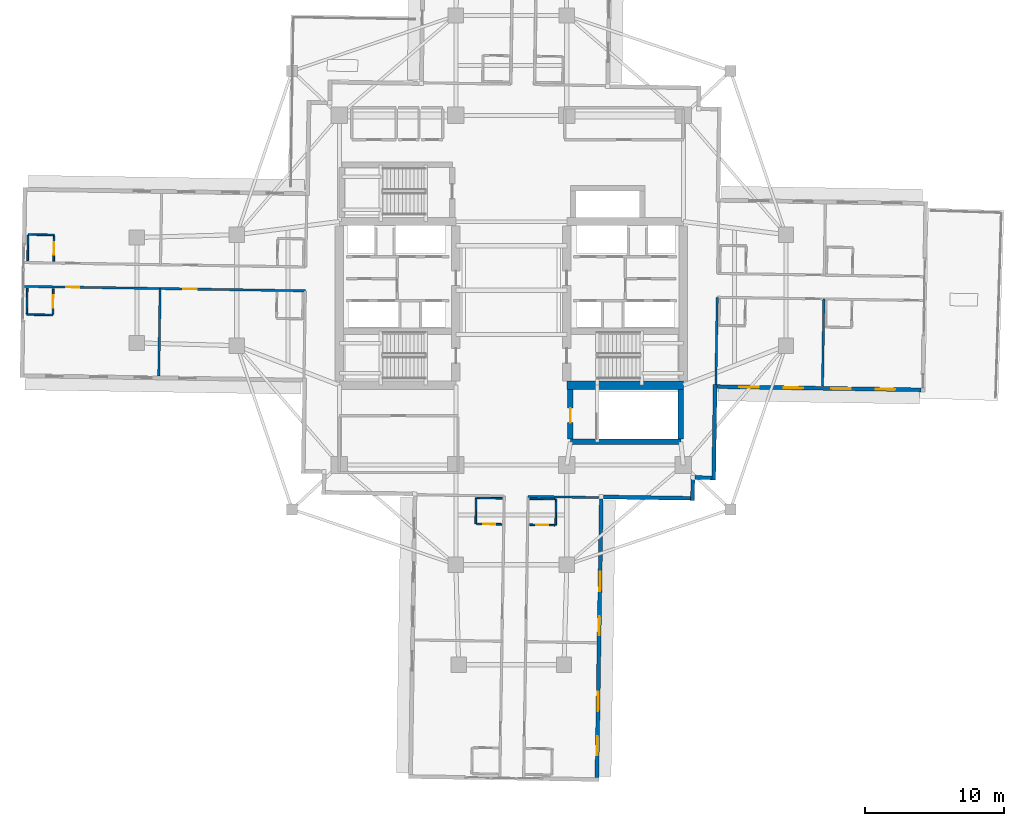
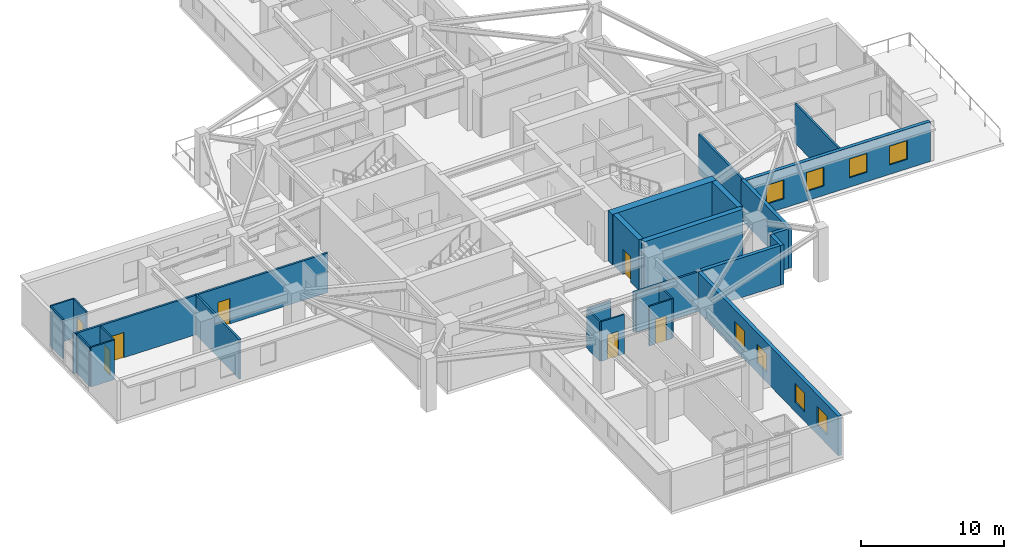
# One storey, part 12 of 22: 27 walls, 8 windows, 7 doors, 15 openings.
"""IFC4 building model written with IfcOpenShell, lengths in metres."""

from ifc_helpers import new_model, si_unit, direction, frame, frame_2d, origin, place, context, subcontext, project, spatial, rectangle, extrude, material, layer, layer_set, type_object, element, fill, save


model = new_model("IFC4")

# Units and contexts
model_context = context("Model", 3, precision=1e-05, world=origin(), true_north=direction((0.0, 1.0)))
body_context = subcontext(model_context, "Body", "Model", "MODEL_VIEW")
ifc_project = project(units=[si_unit("LENGTHUNIT", "METRE"), si_unit("AREAUNIT", "SQUARE_METRE"), si_unit("VOLUMEUNIT", "CUBIC_METRE"), si_unit("PLANEANGLEUNIT", "RADIAN"), si_unit("MASSUNIT", "GRAM", prefix="KILO")], contexts=[model_context])

# Site, building, storey
site_placement = place(None, origin())
site = spatial("IfcSite", under=ifc_project, at=site_placement, CompositionType="ELEMENT")
building_placement = place(site_placement, origin())
building = spatial("IfcBuilding", under=site, at=building_placement, Name="Qingluan Cross Belvedere", CompositionType="ELEMENT")
storey_placement = place(building_placement, frame((0.0, 0.0, 100.199951171875)))
storey = spatial("IfcBuildingStorey", under=building, at=storey_placement, Name="L25", CompositionType="ELEMENT", Elevation=100.199951171875)

# Wall
ifc_material_1 = material(Name="Concrete C50", Category="concrete")
ifc_layer_1 = layer(ifc_material_1, 0.449951171875, Name="CoreShearWall_450")
ifc_layer_set_1 = layer_set([ifc_layer_1], Name="Concrete C50")
wall_type_1 = type_object("IfcWallType", Name="CoreShearWall_450", PredefinedType="SHEAR", material=ifc_layer_set_1)
wall_1_placement = place(storey_placement, frame((4.260009765625, -10.93994140625, 0.0), z_axis=(0.0, 0.0, 1.0), x_axis=(1.0, 0.0, 0.0)))
element("IfcWall", 1, at=wall_1_placement, inside=storey, type_object=wall_type_1, Name="Stair ST4 structural wall S L25", PredefinedType="SHEAR", context=body_context, shape_type="SweptSolid", body=[
    extrude(rectangle(XDim=7.9599609375, YDim=0.39990234375, at=frame_2d((3.97998046875, 0.0))), origin(), (0.0, 0.0, 1.0), 4.300048828125),
])

# Wall, opening, door
wall_2_placement = place(storey_placement, frame((4.260009765625, -10.735107421875, 0.0), z_axis=(0.0, 0.0, 1.0), x_axis=(0.0, 1.0, 0.0)))
wall_2 = element("IfcWall", 2, at=wall_2_placement, inside=storey, type_object=wall_type_1, Name="Stair ST4 structural wall W L25", PredefinedType="SHEAR", context=body_context, shape_type="SweptSolid", body=[
    extrude(rectangle(XDim=3.580078125, YDim=0.39990234375, at=frame_2d((1.7900390625, 0.0))), origin(), (0.0, 0.0, 1.0), 4.300048828125),
])
opening_1_placement = place(wall_2_placement, frame((1.18505859375, 0.0, 0.0)))
opening_1 = element("IfcOpeningElement", 3, at=opening_1_placement, cuts=wall_2, Name="Opening FD-B11", PredefinedType="OPENING", context=body_context, shape_type="SweptSolid", body=[
    extrude(rectangle(XDim=1.050048828125, YDim=2.14990234375, at=frame_2d((0.52490234375, 1.074951171875))), frame((0.0, 0.2099609375, 0.0), z_axis=(0.0, -1.0, 0.0), x_axis=(1.0, 0.0, 0.0)), (0.0, 0.0, 1.0), 0.419921875),
])
ifc_material_2 = material(Name="Steel Class B smoke-seal fire door", Category="steel")
door_type_1 = type_object("IfcDoorType", Name="StairLobbyFireDoor_FDB", OperationType="NOTDEFINED", PredefinedType="DOOR", material=ifc_material_2)
door_1_placement = place(opening_1_placement, origin())
door_1 = element("IfcDoor", 4, at=door_1_placement, inside=storey, type_object=door_type_1, Name="Smoke-proof stair ST4 fire door L25", OperationType="SINGLE_SWING_LEFT", OverallHeight=2.14990234375, OverallWidth=1.050048828125, PredefinedType="DOOR", context=body_context, shape_type="SweptSolid", body=[
    extrude(rectangle(XDim=1.050048828125, YDim=2.14990234375, at=frame_2d((0.52490234375, 1.074951171875))), frame((0.0, 0.02490234375, 0.0), z_axis=(0.0, -1.0, 0.0), x_axis=(1.0, 0.0, 0.0)), (0.0, 0.0, 1.0), 0.050048828125),
])
fill(opening_1, door_1)

# Walls
wall_3_placement = place(storey_placement, frame((12.219970703125, -10.735107421875, 0.0), z_axis=(0.0, 0.0, 1.0), x_axis=(0.0, 1.0, 0.0)))
element("IfcWall", 5, at=wall_3_placement, inside=storey, type_object=wall_type_1, Name="Stair ST4 structural wall E L25", PredefinedType="SHEAR", context=body_context, shape_type="SweptSolid", body=[
    extrude(rectangle(XDim=3.580078125, YDim=0.39990234375, at=frame_2d((1.7900390625, 0.0))), origin(), (0.0, 0.0, 1.0), 4.300048828125),
])
ifc_material_3 = material(Name="Concrete C60", Category="concrete")
ifc_layer_2 = layer(ifc_material_3, 0.60009765625, Name="CoreShearWall_600")
ifc_layer_set_2 = layer_set([ifc_layer_2], Name="Concrete C60")
wall_type_2 = type_object("IfcWallType", Name="CoreShearWall_600", PredefinedType="SHEAR", material=ifc_layer_set_2)
wall_4_placement = place(storey_placement, frame((4.0, -6.85009765625, 0.0), z_axis=(0.0, 0.0, 1.0), x_axis=(1.0, 0.0, 0.0)))
element("IfcWall", 6, at=wall_4_placement, inside=storey, type_object=wall_type_2, Name="Split core E shear wall L25-S", PredefinedType="SHEAR", context=body_context, shape_type="SweptSolid", body=[
    extrude(rectangle(XDim=8.39990234375, YDim=0.60009765625, at=frame_2d((4.199951171875, 0.0))), origin(), (0.0, 0.0, 1.0), 4.300048828125),
])
ifc_material_4 = material(Name="Gypsum plasterboard on steel stud acoustic partition", Category="steel")
ifc_layer_3 = layer(ifc_material_4, 0.159912109375, Name="CorridorPartition_160")
ifc_layer_set_3 = layer_set([ifc_layer_3], Name="Gypsum plasterboard on steel stud acoustic partition")
wall_type_3 = type_object("IfcWallType", Name="CorridorPartition_160", PredefinedType="PARTITIONING", material=ifc_layer_set_3)
for number, where, z_axis, x_axis, name in (
    (7, (14.84375, -0.51318359375, 0.0), (0.0, 0.0, 1.0), (-0.01571461794, -0.999876517768, 0.0), "Partition L25:E:s1"),
    (8, (22.53173828125, -0.634033203125, 0.0), (0.0, 0.0, 1.0), (-0.015675825961, -0.999877126691, 0.0), "Partition L25:E:d1_0"),
):
    element("IfcWall", number, at=place(storey_placement, frame(where, z_axis=z_axis, x_axis=x_axis)), inside=storey, type_object=wall_type_3, Name=name, PredefinedType="PARTITIONING", context=body_context, shape_type="SweptSolid", body=[
        extrude(rectangle(XDim=6.2919921875, YDim=0.159912109375, at=frame_2d((3.14599609375, 0.0))), origin(), (0.0, 0.0, 1.0), 3.3701171875),
    ])

# Wall, openings, doors
wall_5_placement = place(storey_placement, frame((-14.8525390625, -0.046630859375, 0.0), z_axis=(0.0, 0.0, 1.0), x_axis=(-0.999876629467, 0.015707509204, 0.0)))
wall_5 = element("IfcWall", 9, at=wall_5_placement, inside=storey, type_object=wall_type_3, Name="Partition L25:W:c1", PredefinedType="PARTITIONING", context=body_context, shape_type="SweptSolid", body=[
    extrude(rectangle(XDim=20.330078125, YDim=0.159912109375, at=frame_2d((10.1650390625, 0.0))), origin(), (0.0, 0.0, 1.0), 3.3701171875),
])
opening_2_placement = place(wall_5_placement, frame((7.8359375, 0.0, 0.0)))
opening_2 = element("IfcOpeningElement", 10, at=opening_2_placement, cuts=wall_5, Name="Opening GD-10", PredefinedType="OPENING", context=body_context, shape_type="SweptSolid", body=[
    extrude(rectangle(XDim=0.9599609375, YDim=2.14990234375, at=frame_2d((0.47998046875, 1.074951171875))), frame((0.0, 0.08984375, 0.0), z_axis=(0.0, -1.0, 0.0), x_axis=(1.0, 0.0, 0.0)), (0.0, 0.0, 1.0), 0.179931640625),
])
opening_3_placement = place(wall_5_placement, frame((16.2958984375, 0.0, 0.0)))
opening_3 = element("IfcOpeningElement", 11, at=opening_3_placement, cuts=wall_5, Name="Opening GD-10", PredefinedType="OPENING", context=body_context, shape_type="SweptSolid", body=[
    extrude(rectangle(XDim=0.9599609375, YDim=2.14990234375, at=frame_2d((0.47998046875, 1.074951171875))), frame((0.0, 0.08984375, 0.0), z_axis=(0.0, -1.0, 0.0), x_axis=(1.0, 0.0, 0.0)), (0.0, 0.0, 1.0), 0.179931640625),
])
ifc_material_5 = material(Name="Timber oak fire-rated acoustic guestroom door", Category="wood")
door_type_2 = type_object("IfcDoorType", Name="GuestEntryDoor_FD60", OperationType="NOTDEFINED", PredefinedType="DOOR", material=ifc_material_5)
door_2_placement = place(opening_2_placement, origin())
door_2 = element("IfcDoor", 12, at=door_2_placement, inside=storey, type_object=door_type_2, Name="Guest entry fire door 2507", OperationType="SINGLE_SWING_LEFT", OverallHeight=2.14990234375, OverallWidth=0.9599609375, PredefinedType="DOOR", context=body_context, shape_type="SweptSolid", body=[
    extrude(rectangle(XDim=0.9599609375, YDim=2.14990234375, at=frame_2d((0.47998046875, 1.074951171875))), frame((0.0, 0.02490234375, 0.0), z_axis=(0.0, -1.0, 0.0), x_axis=(1.0, 0.0, 0.0)), (0.0, 0.0, 1.0), 0.050048828125),
])
fill(opening_2, door_2)
door_3_placement = place(opening_3_placement, origin())
door_3 = element("IfcDoor", 13, at=door_3_placement, inside=storey, type_object=door_type_2, Name="Guest entry fire door 2508", OperationType="SINGLE_SWING_LEFT", OverallHeight=2.14990234375, OverallWidth=0.9599609375, PredefinedType="DOOR", context=body_context, shape_type="SweptSolid", body=[
    extrude(rectangle(XDim=0.9599609375, YDim=2.14990234375, at=frame_2d((0.47998046875, 1.074951171875))), frame((0.0, 0.02490234375, 0.0), z_axis=(0.0, -1.0, 0.0), x_axis=(1.0, 0.0, 0.0)), (0.0, 0.0, 1.0), 0.050048828125),
])
fill(opening_3, door_3)

# Walls
wall_6_placement = place(storey_placement, frame((-25.3212890625, 0.11767578125, 0.0), z_axis=(0.0, 0.0, 1.0), x_axis=(-0.01571461794, -0.999876517768, 0.0)))
element("IfcWall", 14, at=wall_6_placement, inside=storey, type_object=wall_type_3, Name="Partition L25:W:d1_0", PredefinedType="PARTITIONING", context=body_context, shape_type="SweptSolid", body=[
    extrude(rectangle(XDim=6.2919921875, YDim=0.159912109375, at=frame_2d((3.14599609375, 0.0))), origin(), (0.0, 0.0, 1.0), 3.3701171875),
])
wall_7_placement = place(storey_placement, frame((1.20654296875, -14.870849609375, 0.0), z_axis=(0.0, 0.0, 1.0), x_axis=(0.999877138082, -0.015675099418, 0.0)))
element("IfcWall", 15, at=wall_7_placement, inside=storey, type_object=wall_type_3, Name="Partition L25:S:s0", PredefinedType="PARTITIONING", context=body_context, shape_type="SweptSolid", body=[
    extrude(rectangle(XDim=5.280029296875, YDim=0.159912109375, at=frame_2d((2.64013671875, 0.0))), origin(), (0.0, 0.0, 1.0), 3.3701171875),
])

# Wall, opening, door
ifc_material_6 = material(Name="Moisture-resistant gypsum board lining")
ifc_layer_4 = layer(ifc_material_6, 0.1201171875, Name="EnsuiteWetPartition_120")
ifc_layer_set_4 = layer_set([ifc_layer_4], Name="Moisture-resistant gypsum board lining")
wall_type_4 = type_object("IfcWallType", Name="EnsuiteWetPartition_120", PredefinedType="PARTITIONING", material=ifc_layer_set_4)
wall_8_placement = place(storey_placement, frame((-32.9912109375, 2.098388671875, 0.0), z_axis=(0.0, 0.0, 1.0), x_axis=(0.015828443418, 0.999874722342, 0.0)))
wall_8 = element("IfcWall", 16, at=wall_8_placement, inside=storey, type_object=wall_type_4, Name="Partition L25:W:bs0_1", PredefinedType="PARTITIONING", context=body_context, shape_type="SweptSolid", body=[
    extrude(rectangle(XDim=1.820068359375, YDim=0.1201171875, at=frame_2d((0.91015625, 0.0))), origin(), (0.0, 0.0, 1.0), 3.3701171875),
])
opening_4_placement = place(wall_8_placement, frame((0.469970703125, 0.0, 0.0)))
opening_4 = element("IfcOpeningElement", 17, at=opening_4_placement, cuts=wall_8, Name="Opening BD-09", PredefinedType="OPENING", context=body_context, shape_type="SweptSolid", body=[
    extrude(rectangle(XDim=0.8798828125, YDim=2.10009765625, at=frame_2d((0.43994140625, 1.050048828125))), frame((0.0, 0.070068359375, 0.0), z_axis=(0.0, -1.0, 0.0), x_axis=(1.0, 0.0, 0.0)), (0.0, 0.0, 1.0), 0.14013671875),
])
ifc_material_7 = material(Name="Moisture-sealed timber en-suite door", Category="wood")
door_type_3 = type_object("IfcDoorType", Name="BathroomDoor_880", OperationType="NOTDEFINED", PredefinedType="DOOR", material=ifc_material_7)
door_4_placement = place(opening_4_placement, origin())
door_4 = element("IfcDoor", 18, at=door_4_placement, inside=storey, type_object=door_type_3, Name="Bathroom door 2506", OperationType="SINGLE_SWING_RIGHT", OverallHeight=2.10009765625, OverallWidth=0.8798828125, PredefinedType="DOOR", context=body_context, shape_type="SweptSolid", body=[
    extrude(rectangle(XDim=0.8798828125, YDim=2.10009765625, at=frame_2d((0.43994140625, 1.050048828125))), frame((0.0, 0.02490234375, 0.0), z_axis=(0.0, -1.0, 0.0), x_axis=(1.0, 0.0, 0.0)), (0.0, 0.0, 1.0), 0.050048828125),
])
fill(opening_4, door_4)

# Walls
wall_9_placement = place(storey_placement, frame((-34.870849609375, 2.1279296875, 0.0), z_axis=(0.0, 0.0, 1.0), x_axis=(0.015694337248, 0.999876836305, 0.0)))
element("IfcWall", 19, at=wall_9_placement, inside=storey, type_object=wall_type_4, Name="Partition L25:W:bw0_1", PredefinedType="PARTITIONING", context=body_context, shape_type="SweptSolid", body=[
    extrude(rectangle(XDim=1.820068359375, YDim=0.1201171875, at=frame_2d((0.91015625, 0.0))), origin(), (0.0, 0.0, 1.0), 3.3701171875),
])
wall_10_placement = place(storey_placement, frame((-32.96142578125, 3.983154296875, 0.0), z_axis=(0.0, 0.0, 1.0), x_axis=(-0.999876553475, 0.01571234584, 0.0)))
element("IfcWall", 20, at=wall_10_placement, inside=storey, type_object=wall_type_4, Name="Partition L25:W:bn0_1", PredefinedType="PARTITIONING", context=body_context, shape_type="SweptSolid", body=[
    extrude(rectangle(XDim=1.880126953125, YDim=0.1201171875, at=frame_2d((0.93994140625, 0.0))), origin(), (0.0, 0.0, 1.0), 3.3701171875),
])

# Wall, opening, door
wall_11_placement = place(storey_placement, frame((-33.051025390625, -1.72119140625, 0.0), z_axis=(0.0, 0.0, 1.0), x_axis=(0.015694337248, 0.999876836305, 0.0)))
wall_11 = element("IfcWall", 21, at=wall_11_placement, inside=storey, type_object=wall_type_4, Name="Partition L25:W:bs1_1", PredefinedType="PARTITIONING", context=body_context, shape_type="SweptSolid", body=[
    extrude(rectangle(XDim=1.820068359375, YDim=0.1201171875, at=frame_2d((0.91015625, 0.0))), origin(), (0.0, 0.0, 1.0), 3.3701171875),
])
opening_5_placement = place(wall_11_placement, frame((0.469970703125, 0.0, 0.0)))
opening_5 = element("IfcOpeningElement", 22, at=opening_5_placement, cuts=wall_11, Name="Opening BD-09", PredefinedType="OPENING", context=body_context, shape_type="SweptSolid", body=[
    extrude(rectangle(XDim=0.8798828125, YDim=2.10009765625, at=frame_2d((0.43994140625, 1.050048828125))), frame((0.0, 0.070068359375, 0.0), z_axis=(0.0, -1.0, 0.0), x_axis=(1.0, 0.0, 0.0)), (0.0, 0.0, 1.0), 0.14013671875),
])
door_5_placement = place(opening_5_placement, origin())
door_5 = element("IfcDoor", 23, at=door_5_placement, inside=storey, type_object=door_type_3, Name="Bathroom door 2508", OperationType="SINGLE_SWING_RIGHT", OverallHeight=2.10009765625, OverallWidth=0.8798828125, PredefinedType="DOOR", context=body_context, shape_type="SweptSolid", body=[
    extrude(rectangle(XDim=0.8798828125, YDim=2.10009765625, at=frame_2d((0.43994140625, 1.050048828125))), frame((0.0, 0.02490234375, 0.0), z_axis=(0.0, -1.0, 0.0), x_axis=(1.0, 0.0, 0.0)), (0.0, 0.0, 1.0), 0.050048828125),
])
fill(opening_5, door_5)

# Walls
wall_12_placement = place(storey_placement, frame((-34.930908203125, -1.69140625, 0.0), z_axis=(0.0, 0.0, 1.0), x_axis=(0.015696442504, 0.999876803258, 0.0)))
element("IfcWall", 24, at=wall_12_placement, inside=storey, type_object=wall_type_4, Name="Partition L25:W:bw1_1", PredefinedType="PARTITIONING", context=body_context, shape_type="SweptSolid", body=[
    extrude(rectangle(XDim=1.81982421875, YDim=0.1201171875, at=frame_2d((0.909912109375, 0.0))), origin(), (0.0, 0.0, 1.0), 3.3701171875),
])
wall_13_placement = place(storey_placement, frame((-33.052001953125, -1.7861328125, 0.0), z_axis=(0.0, 0.0, 1.0), x_axis=(-0.999876553475, 0.01571234584, 0.0)))
element("IfcWall", 25, at=wall_13_placement, inside=storey, type_object=wall_type_4, Name="Partition L25:W:bc1_1", PredefinedType="PARTITIONING", context=body_context, shape_type="SweptSolid", body=[
    extrude(rectangle(XDim=1.880126953125, YDim=0.1201171875, at=frame_2d((0.93994140625, 0.0))), origin(), (0.0, 0.0, 1.0), 3.3701171875),
])

# Wall, opening, door
wall_14_placement = place(storey_placement, frame((1.314453125, -16.91259765625, 0.0), z_axis=(0.0, 0.0, 1.0), x_axis=(0.999874722342, -0.015828443418, 0.0)))
wall_14 = element("IfcWall", 26, at=wall_14_placement, inside=storey, type_object=wall_type_4, Name="Partition L25:S:bs0_0", PredefinedType="PARTITIONING", context=body_context, shape_type="SweptSolid", body=[
    extrude(rectangle(XDim=1.820068359375, YDim=0.1201171875, at=frame_2d((0.91015625, 0.0))), origin(), (0.0, 0.0, 1.0), 3.3701171875),
])
opening_6_placement = place(wall_14_placement, frame((0.469970703125, 0.0, 0.0)))
opening_6 = element("IfcOpeningElement", 27, at=opening_6_placement, cuts=wall_14, Name="Opening BD-09", PredefinedType="OPENING", context=body_context, shape_type="SweptSolid", body=[
    extrude(rectangle(XDim=0.8798828125, YDim=2.10009765625, at=frame_2d((0.43994140625, 1.050048828125))), frame((0.0, 0.070068359375, 0.0), z_axis=(0.0, -1.0, 0.0), x_axis=(1.0, 0.0, 0.0)), (0.0, 0.0, 1.0), 0.14013671875),
])
door_6_placement = place(opening_6_placement, origin())
door_6 = element("IfcDoor", 28, at=door_6_placement, inside=storey, type_object=door_type_3, Name="Bathroom door 2513", OperationType="SINGLE_SWING_RIGHT", OverallHeight=2.10009765625, OverallWidth=0.8798828125, PredefinedType="DOOR", context=body_context, shape_type="SweptSolid", body=[
    extrude(rectangle(XDim=0.8798828125, YDim=2.10009765625, at=frame_2d((0.43994140625, 1.050048828125))), frame((0.0, 0.02490234375, 0.0), z_axis=(0.0, -1.0, 0.0), x_axis=(1.0, 0.0, 0.0)), (0.0, 0.0, 1.0), 0.050048828125),
])
fill(opening_6, door_6)

# Walls
wall_15_placement = place(storey_placement, frame((1.343994140625, -15.032958984375, 0.0), z_axis=(0.0, 0.0, 1.0), x_axis=(0.999876836305, -0.015694337248, 0.0)))
element("IfcWall", 29, at=wall_15_placement, inside=storey, type_object=wall_type_4, Name="Partition L25:S:bw0_0", PredefinedType="PARTITIONING", context=body_context, shape_type="SweptSolid", body=[
    extrude(rectangle(XDim=1.820068359375, YDim=0.1201171875, at=frame_2d((0.91015625, 0.0))), origin(), (0.0, 0.0, 1.0), 3.3701171875),
])
wall_16_placement = place(storey_placement, frame((3.228759765625, -15.0625, 0.0), z_axis=(0.0, 0.0, 1.0), x_axis=(-0.01571234584, -0.999876553475, 0.0)))
element("IfcWall", 30, at=wall_16_placement, inside=storey, type_object=wall_type_4, Name="Partition L25:S:bn0_0", PredefinedType="PARTITIONING", context=body_context, shape_type="SweptSolid", body=[
    extrude(rectangle(XDim=1.880126953125, YDim=0.1201171875, at=frame_2d((0.93994140625, 0.0))), origin(), (0.0, 0.0, 1.0), 3.3701171875),
])

# Wall, opening, door
wall_17_placement = place(storey_placement, frame((-2.5048828125, -16.852783203125, 0.0), z_axis=(0.0, 0.0, 1.0), x_axis=(0.999876803258, -0.015696442504, 0.0)))
wall_17 = element("IfcWall", 31, at=wall_17_placement, inside=storey, type_object=wall_type_4, Name="Partition L25:S:bs1_0", PredefinedType="PARTITIONING", context=body_context, shape_type="SweptSolid", body=[
    extrude(rectangle(XDim=1.81982421875, YDim=0.1201171875, at=frame_2d((0.909912109375, 0.0))), origin(), (0.0, 0.0, 1.0), 3.3701171875),
])
opening_7_placement = place(wall_17_placement, frame((0.469970703125, 0.0, 0.0)))
opening_7 = element("IfcOpeningElement", 32, at=opening_7_placement, cuts=wall_17, Name="Opening BD-09", PredefinedType="OPENING", context=body_context, shape_type="SweptSolid", body=[
    extrude(rectangle(XDim=0.8798828125, YDim=2.10009765625, at=frame_2d((0.43994140625, 1.050048828125))), frame((0.0, 0.070068359375, 0.0), z_axis=(0.0, -1.0, 0.0), x_axis=(1.0, 0.0, 0.0)), (0.0, 0.0, 1.0), 0.14013671875),
])
door_7_placement = place(opening_7_placement, origin())
door_7 = element("IfcDoor", 33, at=door_7_placement, inside=storey, type_object=door_type_3, Name="Bathroom door 2515", OperationType="SINGLE_SWING_RIGHT", OverallHeight=2.10009765625, OverallWidth=0.8798828125, PredefinedType="DOOR", context=body_context, shape_type="SweptSolid", body=[
    extrude(rectangle(XDim=0.8798828125, YDim=2.10009765625, at=frame_2d((0.43994140625, 1.050048828125))), frame((0.0, 0.02490234375, 0.0), z_axis=(0.0, -1.0, 0.0), x_axis=(1.0, 0.0, 0.0)), (0.0, 0.0, 1.0), 0.050048828125),
])
fill(opening_7, door_7)

# Walls
wall_18_placement = place(storey_placement, frame((-2.4755859375, -14.972900390625, 0.0), z_axis=(0.0, 0.0, 1.0), x_axis=(0.999874722342, -0.015828443418, 0.0)))
element("IfcWall", 34, at=wall_18_placement, inside=storey, type_object=wall_type_4, Name="Partition L25:S:bw1_0", PredefinedType="PARTITIONING", context=body_context, shape_type="SweptSolid", body=[
    extrude(rectangle(XDim=1.820068359375, YDim=0.1201171875, at=frame_2d((0.91015625, 0.0))), origin(), (0.0, 0.0, 1.0), 3.3701171875),
])
wall_19_placement = place(storey_placement, frame((-2.54052734375, -14.971923828125, 0.0), z_axis=(0.0, 0.0, 1.0), x_axis=(-0.01571234584, -0.999876553475, 0.0)))
element("IfcWall", 35, at=wall_19_placement, inside=storey, type_object=wall_type_4, Name="Partition L25:S:bc1_0", PredefinedType="PARTITIONING", context=body_context, shape_type="SweptSolid", body=[
    extrude(rectangle(XDim=1.880126953125, YDim=0.1201171875, at=frame_2d((0.93994140625, 0.0))), origin(), (0.0, 0.0, 1.0), 3.3701171875),
])

# Wall, openings, windows
ifc_material_8 = material(Name="Precast concrete C45", Category="concrete")
ifc_layer_5 = layer(ifc_material_8, 0.280029296875, Name="PrecastFacadeWall_280")
ifc_layer_set_5 = layer_set([ifc_layer_5], Name="Precast concrete C45")
wall_type_5 = type_object("IfcWallType", Name="PrecastFacadeWall_280", PredefinedType="STANDARD", material=ifc_layer_set_5)
wall_20_placement = place(storey_placement, frame((14.83251953125, -6.953857421875, 0.0), z_axis=(0.0, 0.0, 1.0), x_axis=(0.999876569875, -0.015711302158, 0.0)))
wall_20 = element("IfcWall", 36, at=wall_20_placement, inside=storey, type_object=wall_type_5, Name="Facade wall L25-EA", PredefinedType="STANDARD", context=body_context, shape_type="SweptSolid", body=[
    extrude(rectangle(XDim=14.699951171875, YDim=0.280029296875, at=frame_2d((7.35009765625, 0.0))), origin(), (0.0, 0.0, 1.0), 3.380126953125),
])
opening_8_placement = place(wall_20_placement, frame((1.60009765625, 0.0, 0.800048828125)))
opening_8 = element("IfcOpeningElement", 37, at=opening_8_placement, cuts=wall_20, Name="Opening W-01", PredefinedType="OPENING", context=body_context, shape_type="SweptSolid", body=[
    extrude(rectangle(XDim=1.39990234375, YDim=1.60009765625, at=frame_2d((0.699951171875, 0.800048828125))), frame((0.0, 0.14990234375, 0.0), z_axis=(0.0, -1.0, 0.0), x_axis=(1.0, 0.0, 0.0)), (0.0, 0.0, 1.0), 0.300048828125),
])
opening_9_placement = place(wall_20_placement, frame((4.800048828125, 0.0, 0.800048828125)))
opening_9 = element("IfcOpeningElement", 38, at=opening_9_placement, cuts=wall_20, Name="Opening W-01", PredefinedType="OPENING", context=body_context, shape_type="SweptSolid", body=[
    extrude(rectangle(XDim=1.39990234375, YDim=1.60009765625, at=frame_2d((0.699951171875, 0.800048828125))), frame((0.0, 0.14990234375, 0.0), z_axis=(0.0, -1.0, 0.0), x_axis=(1.0, 0.0, 0.0)), (0.0, 0.0, 1.0), 0.300048828125),
])
opening_10_placement = place(wall_20_placement, frame((8.25, 0.0, 0.800048828125)))
opening_10 = element("IfcOpeningElement", 39, at=opening_10_placement, cuts=wall_20, Name="Opening W-01", PredefinedType="OPENING", context=body_context, shape_type="SweptSolid", body=[
    extrude(rectangle(XDim=1.39990234375, YDim=1.60009765625, at=frame_2d((0.699951171875, 0.800048828125))), frame((0.0, 0.14990234375, 0.0), z_axis=(0.0, -1.0, 0.0), x_axis=(1.0, 0.0, 0.0)), (0.0, 0.0, 1.0), 0.300048828125),
])
opening_11_placement = place(wall_20_placement, frame((11.449951171875, 0.0, 0.800048828125)))
opening_11 = element("IfcOpeningElement", 40, at=opening_11_placement, cuts=wall_20, Name="Opening W-01", PredefinedType="OPENING", context=body_context, shape_type="SweptSolid", body=[
    extrude(rectangle(XDim=1.39990234375, YDim=1.60009765625, at=frame_2d((0.699951171875, 0.800048828125))), frame((0.0, 0.14990234375, 0.0), z_axis=(0.0, -1.0, 0.0), x_axis=(1.0, 0.0, 0.0)), (0.0, 0.0, 1.0), 0.300048828125),
])
ifc_material_9 = material(Name="Thermally broken triple Low-E glass in aluminium frame", Category="aluminium")
window_type = type_object("IfcWindowType", Name="TriRibbonWin_1400x1600", PartitioningType="SINGLE_PANEL", PredefinedType="WINDOW", material=ifc_material_9)
window_1_placement = place(opening_8_placement, origin())
window_1 = element("IfcWindow", 41, at=window_1_placement, inside=storey, type_object=window_type, Name="Ribbon window L25-EA-1", OverallHeight=1.60009765625, OverallWidth=1.39990234375, PartitioningType="SINGLE_PANEL", PredefinedType="WINDOW", context=body_context, shape_type="SweptSolid", body=[
    extrude(rectangle(XDim=1.39990234375, YDim=1.60009765625, at=frame_2d((0.699951171875, 0.800048828125))), frame((0.0, 0.030029296875, 0.0), z_axis=(0.0, -1.0, 0.0), x_axis=(1.0, 0.0, 0.0)), (0.0, 0.0, 1.0), 0.06005859375),
])
fill(opening_8, window_1)
window_2_placement = place(opening_9_placement, origin())
window_2 = element("IfcWindow", 42, at=window_2_placement, inside=storey, type_object=window_type, Name="Ribbon window L25-EA-2", OverallHeight=1.60009765625, OverallWidth=1.39990234375, PartitioningType="SINGLE_PANEL", PredefinedType="WINDOW", context=body_context, shape_type="SweptSolid", body=[
    extrude(rectangle(XDim=1.39990234375, YDim=1.60009765625, at=frame_2d((0.699951171875, 0.800048828125))), frame((0.0, 0.030029296875, 0.0), z_axis=(0.0, -1.0, 0.0), x_axis=(1.0, 0.0, 0.0)), (0.0, 0.0, 1.0), 0.06005859375),
])
fill(opening_9, window_2)
window_3_placement = place(opening_10_placement, origin())
window_3 = element("IfcWindow", 43, at=window_3_placement, inside=storey, type_object=window_type, Name="Ribbon window L25-EA-3", OverallHeight=1.60009765625, OverallWidth=1.39990234375, PartitioningType="SINGLE_PANEL", PredefinedType="WINDOW", context=body_context, shape_type="SweptSolid", body=[
    extrude(rectangle(XDim=1.39990234375, YDim=1.60009765625, at=frame_2d((0.699951171875, 0.800048828125))), frame((0.0, 0.030029296875, 0.0), z_axis=(0.0, -1.0, 0.0), x_axis=(1.0, 0.0, 0.0)), (0.0, 0.0, 1.0), 0.06005859375),
])
fill(opening_10, window_3)
window_4_placement = place(opening_11_placement, origin())
window_4 = element("IfcWindow", 44, at=window_4_placement, inside=storey, type_object=window_type, Name="Ribbon window L25-EA-4", OverallHeight=1.60009765625, OverallWidth=1.39990234375, PartitioningType="SINGLE_PANEL", PredefinedType="WINDOW", context=body_context, shape_type="SweptSolid", body=[
    extrude(rectangle(XDim=1.39990234375, YDim=1.60009765625, at=frame_2d((0.699951171875, 0.800048828125))), frame((0.0, 0.030029296875, 0.0), z_axis=(0.0, -1.0, 0.0), x_axis=(1.0, 0.0, 0.0)), (0.0, 0.0, 1.0), 0.06005859375),
])
fill(opening_11, window_4)

wall_21_placement = place(storey_placement, frame((6.168701171875, -35.14111328125, 0.0), z_axis=(0.0, 0.0, 1.0), x_axis=(0.01571739401, 0.999876474133, 0.0)))
wall_21 = element("IfcWall", 45, at=wall_21_placement, inside=storey, type_object=wall_type_5, Name="Facade wall L25-SB", PredefinedType="STANDARD", context=body_context, shape_type="SweptSolid", body=[
    extrude(rectangle(XDim=20.099853515625, YDim=0.280029296875, at=frame_2d((10.0498046875, 0.0))), origin(), (0.0, 0.0, 1.0), 3.380126953125),
])
opening_12_placement = place(wall_21_placement, frame((1.60009765625, 0.0, 0.800048828125)))
opening_12 = element("IfcOpeningElement", 46, at=opening_12_placement, cuts=wall_21, Name="Opening W-01", PredefinedType="OPENING", context=body_context, shape_type="SweptSolid", body=[
    extrude(rectangle(XDim=1.39990234375, YDim=1.60009765625, at=frame_2d((0.699951171875, 0.800048828125))), frame((0.0, 0.14990234375, 0.0), z_axis=(0.0, -1.0, 0.0), x_axis=(1.0, 0.0, 0.0)), (0.0, 0.0, 1.0), 0.300048828125),
])
opening_13_placement = place(wall_21_placement, frame((4.800048828125, 0.0, 0.800048828125)))
opening_13 = element("IfcOpeningElement", 47, at=opening_13_placement, cuts=wall_21, Name="Opening W-01", PredefinedType="OPENING", context=body_context, shape_type="SweptSolid", body=[
    extrude(rectangle(XDim=1.39990234375, YDim=1.60009765625, at=frame_2d((0.699951171875, 0.800048828125))), frame((0.0, 0.14990234375, 0.0), z_axis=(0.0, -1.0, 0.0), x_axis=(1.0, 0.0, 0.0)), (0.0, 0.0, 1.0), 0.300048828125),
])
opening_14_placement = place(wall_21_placement, frame((10.25, 0.0, 0.800048828125)))
opening_14 = element("IfcOpeningElement", 48, at=opening_14_placement, cuts=wall_21, Name="Opening W-01", PredefinedType="OPENING", context=body_context, shape_type="SweptSolid", body=[
    extrude(rectangle(XDim=1.39990234375, YDim=1.60009765625, at=frame_2d((0.699951171875, 0.800048828125))), frame((0.0, 0.14990234375, 0.0), z_axis=(0.0, -1.0, 0.0), x_axis=(1.0, 0.0, 0.0)), (0.0, 0.0, 1.0), 0.300048828125),
])
opening_15_placement = place(wall_21_placement, frame((13.449951171875, 0.0, 0.800048828125)))
opening_15 = element("IfcOpeningElement", 49, at=opening_15_placement, cuts=wall_21, Name="Opening W-01", PredefinedType="OPENING", context=body_context, shape_type="SweptSolid", body=[
    extrude(rectangle(XDim=1.39990234375, YDim=1.60009765625, at=frame_2d((0.699951171875, 0.800048828125))), frame((0.0, 0.14990234375, 0.0), z_axis=(0.0, -1.0, 0.0), x_axis=(1.0, 0.0, 0.0)), (0.0, 0.0, 1.0), 0.300048828125),
])
window_5_placement = place(opening_12_placement, origin())
window_5 = element("IfcWindow", 50, at=window_5_placement, inside=storey, type_object=window_type, Name="Ribbon window L25-SB-1", OverallHeight=1.60009765625, OverallWidth=1.39990234375, PartitioningType="SINGLE_PANEL", PredefinedType="WINDOW", context=body_context, shape_type="SweptSolid", body=[
    extrude(rectangle(XDim=1.39990234375, YDim=1.60009765625, at=frame_2d((0.699951171875, 0.800048828125))), frame((0.0, 0.030029296875, 0.0), z_axis=(0.0, -1.0, 0.0), x_axis=(1.0, 0.0, 0.0)), (0.0, 0.0, 1.0), 0.06005859375),
])
fill(opening_12, window_5)
window_6_placement = place(opening_13_placement, origin())
window_6 = element("IfcWindow", 51, at=window_6_placement, inside=storey, type_object=window_type, Name="Ribbon window L25-SB-2", OverallHeight=1.60009765625, OverallWidth=1.39990234375, PartitioningType="SINGLE_PANEL", PredefinedType="WINDOW", context=body_context, shape_type="SweptSolid", body=[
    extrude(rectangle(XDim=1.39990234375, YDim=1.60009765625, at=frame_2d((0.699951171875, 0.800048828125))), frame((0.0, 0.030029296875, 0.0), z_axis=(0.0, -1.0, 0.0), x_axis=(1.0, 0.0, 0.0)), (0.0, 0.0, 1.0), 0.06005859375),
])
fill(opening_13, window_6)
window_7_placement = place(opening_14_placement, origin())
window_7 = element("IfcWindow", 52, at=window_7_placement, inside=storey, type_object=window_type, Name="Ribbon window L25-SB-3", OverallHeight=1.60009765625, OverallWidth=1.39990234375, PartitioningType="SINGLE_PANEL", PredefinedType="WINDOW", context=body_context, shape_type="SweptSolid", body=[
    extrude(rectangle(XDim=1.39990234375, YDim=1.60009765625, at=frame_2d((0.699951171875, 0.800048828125))), frame((0.0, 0.030029296875, 0.0), z_axis=(0.0, -1.0, 0.0), x_axis=(1.0, 0.0, 0.0)), (0.0, 0.0, 1.0), 0.06005859375),
])
fill(opening_14, window_7)
window_8_placement = place(opening_15_placement, origin())
window_8 = element("IfcWindow", 53, at=window_8_placement, inside=storey, type_object=window_type, Name="Ribbon window L25-SB-4", OverallHeight=1.60009765625, OverallWidth=1.39990234375, PartitioningType="SINGLE_PANEL", PredefinedType="WINDOW", context=body_context, shape_type="SweptSolid", body=[
    extrude(rectangle(XDim=1.39990234375, YDim=1.60009765625, at=frame_2d((0.699951171875, 0.800048828125))), frame((0.0, 0.030029296875, 0.0), z_axis=(0.0, -1.0, 0.0), x_axis=(1.0, 0.0, 0.0)), (0.0, 0.0, 1.0), 0.06005859375),
])
fill(opening_15, window_8)

# Walls
wall_22_placement = place(storey_placement, frame((14.69482421875, -6.811767578125, 0.0), z_axis=(0.0, 0.0, 1.0), x_axis=(-0.015694809807, -0.999876828887, 0.0)))
element("IfcWall", 54, at=wall_22_placement, inside=storey, type_object=wall_type_5, Name="Corner wall L25-SE1", PredefinedType="STANDARD", context=body_context, shape_type="SweptSolid", body=[
    extrude(rectangle(XDim=6.85986328125, YDim=0.280029296875, at=frame_2d((3.429931640625, 0.0))), origin(), (0.0, 0.0, 1.0), 3.380126953125),
])
wall_23_placement = place(storey_placement, frame((14.44921875, -13.528564453125, 0.0), z_axis=(0.0, 0.0, 1.0), x_axis=(-0.999878147354, 0.015610587569, 0.0)))
element("IfcWall", 55, at=wall_23_placement, inside=storey, type_object=wall_type_5, Name="Corner wall L25-SE2", PredefinedType="STANDARD", context=body_context, shape_type="SweptSolid", body=[
    extrude(rectangle(XDim=1.219970703125, YDim=0.280029296875, at=frame_2d((0.60986328125, 0.0))), origin(), (0.0, 0.0, 1.0), 3.380126953125),
])
wall_24_placement = place(storey_placement, frame((13.08740234375, -13.647216796875, 0.0), z_axis=(0.0, 0.0, 1.0), x_axis=(-0.015785793208, -0.999875396603, 0.0)))
element("IfcWall", 56, at=wall_24_placement, inside=storey, type_object=wall_type_5, Name="Corner wall L25-SE3", PredefinedType="STANDARD", context=body_context, shape_type="SweptSolid", body=[
    extrude(rectangle(XDim=1.500244140625, YDim=0.280029296875, at=frame_2d((0.75, 0.0))), origin(), (0.0, 0.0, 1.0), 3.380126953125),
])
wall_25_placement = place(storey_placement, frame((12.92578125, -15.0048828125, 0.0), z_axis=(0.0, 0.0, 1.0), x_axis=(-0.999876823822, 0.015695132501, 0.0)))
element("IfcWall", 57, at=wall_25_placement, inside=storey, type_object=wall_type_5, Name="Corner wall L25-SE4", PredefinedType="STANDARD", context=body_context, shape_type="SweptSolid", body=[
    extrude(rectangle(XDim=6.2998046875, YDim=0.280029296875, at=frame_2d((3.14990234375, 0.0))), origin(), (0.0, 0.0, 1.0), 3.380126953125),
])

save(model, "model.ifc")
